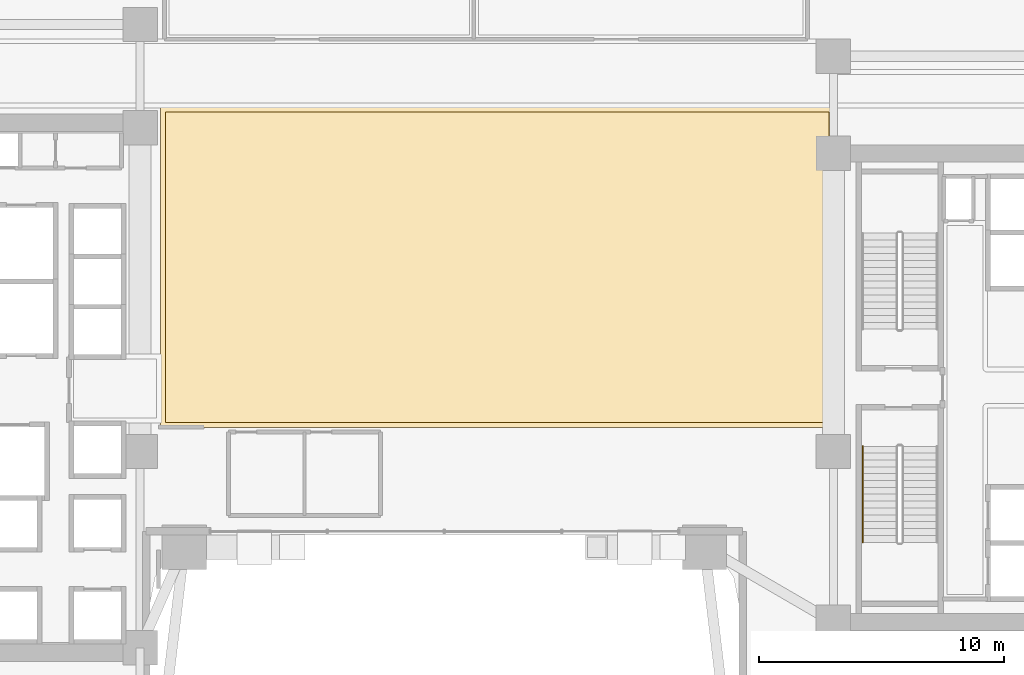
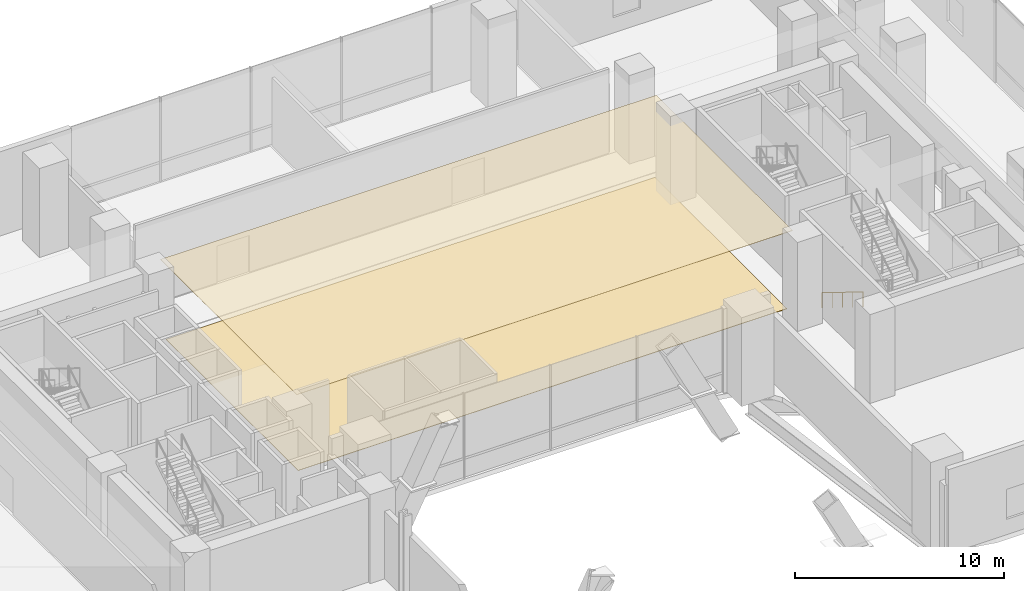
# One storey, part 34 of 39: 2 coverings, 1 railing.
"""IFC4 building model written with IfcOpenShell, lengths in metres."""

from ifc_helpers import new_model, si_unit, direction, frame, origin, origin_2d, place, context, subcontext, project, spatial, polyline, circle, outline, extrude, material, layer, layer_set, type_object, element, save


model = new_model("IFC4")

# Units and contexts
model_context = context("Model", 3, precision=1e-05, world=origin(), true_north=direction((0.0, 1.0)))
body_context = subcontext(model_context, "Body", "Model", "MODEL_VIEW")
ifc_project = project(units=[si_unit("LENGTHUNIT", "METRE"), si_unit("AREAUNIT", "SQUARE_METRE"), si_unit("VOLUMEUNIT", "CUBIC_METRE"), si_unit("PLANEANGLEUNIT", "RADIAN"), si_unit("MASSUNIT", "GRAM", prefix="KILO")], contexts=[model_context])

# Site, building, storey
site_placement = place(None, origin())
site = spatial("IfcSite", under=ifc_project, at=site_placement, CompositionType="ELEMENT")
building_placement = place(site_placement, origin())
building = spatial("IfcBuilding", under=site, at=building_placement, Name="Valdorenza Pilgrim Sanctuary Tower", CompositionType="ELEMENT")
storey_placement = place(building_placement, frame((0.0, 0.0, 10.39990234375)))
storey = spatial("IfcBuildingStorey", under=building, at=storey_placement, Name="L02", CompositionType="ELEMENT", Elevation=10.39990234375)

# Coverings
ifc_material_1 = material(Name="Micro-perforated acoustic mineral ceiling tile", Category="gypsum")
ifc_layer_1 = layer(ifc_material_1, 0.02490234375, Name="Micro-perforated acoustic mineral ceiling tile")
ifc_layer_set_1 = layer_set([ifc_layer_1], Name="Micro-perforated acoustic mineral ceiling tile")
covering_type_1 = type_object("IfcCoveringType", Name="COV-CLG-ACU", PredefinedType="CEILING", material=ifc_layer_set_1)
covering_1_placement = place(storey_placement, frame((0.0, 0.0, 4.6201171875)))
element("IfcCovering", 1, at=covering_1_placement, inside=storey, type_object=covering_type_1, Name="L02 L02 Podium Central Concourse Acoustic Ceiling", PredefinedType="CEILING", context=body_context, shape_type="SweptSolid", body=[
    extrude(outline(polyline([(-11.56298828125, -1.41455078125), (-11.56298828125, 1.344482421875), (-11.56298828125, 1.3447265625), (-11.563720703125, 1.34619140625), (-11.564208984375, 1.347412109375), (-11.564697265625, 1.34912109375), (-11.56494140625, 1.3505859375), (-11.56494140625, 1.35205078125), (-11.56494140625, 7.447998046875), (-11.56494140625, 7.449462890625), (-11.564697265625, 7.45068359375), (-11.564453125, 7.4521484375), (-11.56396484375, 7.45361328125), (-11.563232421875, 7.454833984375), (-11.56298828125, 7.455322265625), (-11.56298828125, 8.944580078125), (-11.56298828125, 8.944580078125), (-11.563720703125, 8.946044921875), (-11.564208984375, 8.947509765625), (-11.564697265625, 8.948974609375), (-11.56494140625, 8.950439453125), (-11.56494140625, 8.951904296875), (-11.56494140625, 11.41796875), (-11.56494140625, 11.41943359375), (-11.564697265625, 11.4208984375), (-11.564453125, 11.42236328125), (-11.56396484375, 11.423583984375), (-11.563232421875, 11.425048828125), (-11.5625, 11.42626953125), (-11.5615234375, 11.427490234375), (-11.560546875, 11.4287109375), (-11.5595703125, 11.4296875), (-11.558349609375, 11.430419921875), (-11.55712890625, 11.43115234375), (-11.5556640625, 11.431884765625), (-11.554443359375, 11.432373046875), (-11.552978515625, 11.4326171875), (-11.551513671875, 11.432861328125), (-11.550048828125, 11.43310546875), (15.85009765625, 11.43310546875), (15.8515625, 11.432861328125), (15.852783203125, 11.4326171875), (15.8544921875, 11.432373046875), (15.855712890625, 11.431884765625), (15.857177734375, 11.43115234375), (15.8583984375, 11.430419921875), (15.859619140625, 11.4296875), (15.860595703125, 11.4287109375), (15.861572265625, 11.427490234375), (15.862548828125, 11.42626953125), (15.86328125, 11.425048828125), (15.864013671875, 11.423583984375), (15.864501953125, 11.42236328125), (15.86474609375, 11.4208984375), (15.864990234375, 11.41943359375), (15.864990234375, 11.41796875), (15.864990234375, 0.822021484375), (15.864990234375, 0.820556640625), (15.86474609375, 0.819091796875), (15.864501953125, 0.81787109375), (15.864013671875, 0.81640625), (15.86328125, 0.815185546875), (15.863037109375, 0.814697265625), (15.863037109375, -0.814697265625), (15.86328125, -0.815185546875), (15.864013671875, -0.81640625), (15.864501953125, -0.81787109375), (15.86474609375, -0.819091796875), (15.864990234375, -0.820556640625), (15.864990234375, -0.822021484375), (15.864990234375, -1.60009765625), (15.864990234375, -1.6015625), (15.86474609375, -1.602783203125), (15.864501953125, -1.6044921875), (15.864013671875, -1.605712890625), (15.86328125, -1.607177734375), (15.862548828125, -1.6083984375), (15.861572265625, -1.609619140625), (15.860595703125, -1.610595703125), (15.859619140625, -1.611572265625), (15.8583984375, -1.612548828125), (15.857177734375, -1.61328125), (15.855712890625, -1.614013671875), (15.8544921875, -1.614501953125), (15.852783203125, -1.61474609375), (15.8515625, -1.614990234375), (15.85009765625, -1.614990234375), (-11.550048828125, -1.614990234375), (-11.551513671875, -1.614990234375), (-11.552978515625, -1.61474609375), (-11.554443359375, -1.614501953125), (-11.5556640625, -1.614013671875), (-11.55712890625, -1.61328125), (-11.558349609375, -1.612548828125), (-11.5595703125, -1.611572265625), (-11.560546875, -1.610595703125), (-11.5615234375, -1.609619140625), (-11.5625, -1.6083984375), (-11.563232421875, -1.607177734375), (-11.56396484375, -1.605712890625), (-11.564453125, -1.6044921875), (-11.564697265625, -1.602783203125), (-11.56494140625, -1.6015625), (-11.56494140625, -1.60009765625), (-11.56494140625, -1.422119140625), (-11.56494140625, -1.42041015625), (-11.564697265625, -1.4189453125), (-11.564208984375, -1.41748046875), (-11.563720703125, -1.416015625), (-11.56298828125, -1.414794921875), (-11.56298828125, -1.41455078125)])), origin(), (0.0, 0.0, 1.0), 0.02490234375),
])
ifc_material_2 = material(Name="Honed travertine stone flooring", Category="masonry")
ifc_layer_2 = layer(ifc_material_2, 0.030029296875, Name="Honed travertine stone flooring")
ifc_layer_set_2 = layer_set([ifc_layer_2], Name="Honed travertine stone flooring")
covering_type_2 = type_object("IfcCoveringType", Name="COV-FLR-TRV", PredefinedType="FLOORING", material=ifc_layer_set_2)
covering_2_placement = place(storey_placement, origin())
element("IfcCovering", 2, at=covering_2_placement, inside=storey, type_object=covering_type_2, Name="L02 L02 Podium Central Concourse Flooring", PredefinedType="FLOORING", context=body_context, shape_type="SweptSolid", body=[
    extrude(outline(polyline([(-11.367919921875, -1.419921875), (-11.367919921875, -1.419921875), (-11.367919921875, 1.35009765625), (-11.3701171875, 7.423095703125), (-11.3701171875, 7.423095703125), (-11.3701171875, 7.42333984375), (-11.3681640625, 7.44091796875), (-11.3681640625, 7.441162109375), (-11.367919921875, 7.449951171875), (-11.367919921875, 8.949951171875), (-11.369873046875, 11.238037109375), (15.669921875, 11.238037109375), (15.669921875, 0.846923828125), (15.669921875, 0.8466796875), (15.669921875, 0.8466796875), (15.668212890625, 0.8291015625), (15.668212890625, 0.828857421875), (15.66796875, 0.820068359375), (15.66796875, -0.820068359375), (15.66796875, -0.820556640625), (15.66943359375, -1.419921875), (-11.367919921875, -1.419921875)])), origin(), (0.0, 0.0, 1.0), 0.025146484375),
])

# Railing
ifc_material_3 = material(Name="Brushed stainless steel Grade 316", Category="steel")
railing_type = type_object("IfcRailingType", Name="RLG-HND-920", PredefinedType="HANDRAIL", material=ifc_material_3)
railing_placement = place(storey_placement, frame((17.050048828125, -2.3798828125, 0.17333984375)))
element("IfcRailing", 3, at=railing_placement, inside=storey, type_object=railing_type, Name="L02 ST-B2 stair handrail 1", PredefinedType="HANDRAIL", context=body_context, shape_type="SweptSolid", body=[
    extrude(circle(Radius=0.02392578125, at=origin_2d()), frame((0.0, 0.0, 0.8759765625), z_axis=(0.0, -0.850266275192, 0.526352791643), x_axis=(1.0, 0.0, 0.0)), (0.0, 0.0, 1.0), 4.610595703125),
    extrude(circle(Radius=0.02099609375, at=origin_2d()), origin(), (0.0, 0.0, 1.0), 0.851806640625),
    extrude(circle(Radius=0.02099609375, at=origin_2d()), frame((0.0, -0.97998046875, 0.606689453125)), (0.0, 0.0, 1.0), 0.851806640625),
    extrude(circle(Radius=0.02099609375, at=origin_2d()), frame((0.0, -1.9599609375, 1.21337890625)), (0.0, 0.0, 1.0), 0.851806640625),
    extrude(circle(Radius=0.02099609375, at=origin_2d()), frame((0.0, -2.940185546875, 1.820068359375)), (0.0, 0.0, 1.0), 0.851806640625),
    extrude(circle(Radius=0.02099609375, at=origin_2d()), frame((0.0, -3.920166015625, 2.4267578125)), (0.0, 0.0, 1.0), 0.851806640625),
])

save(model, "model.ifc")
